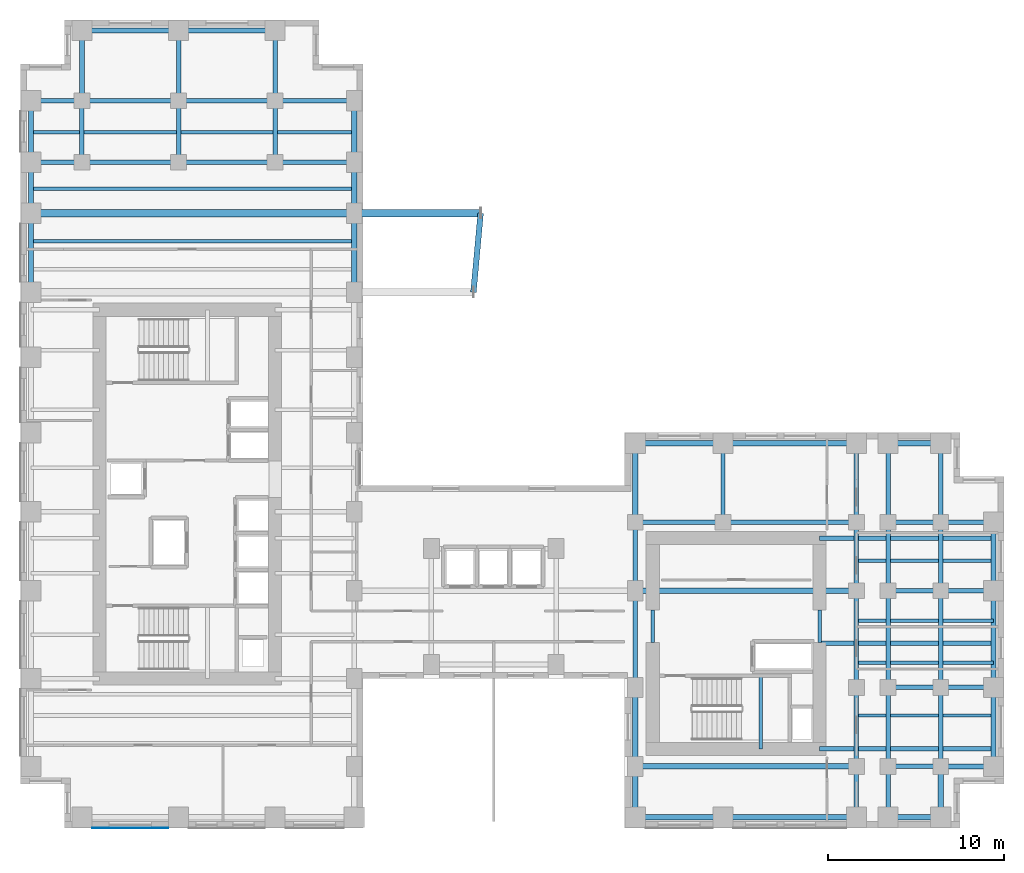
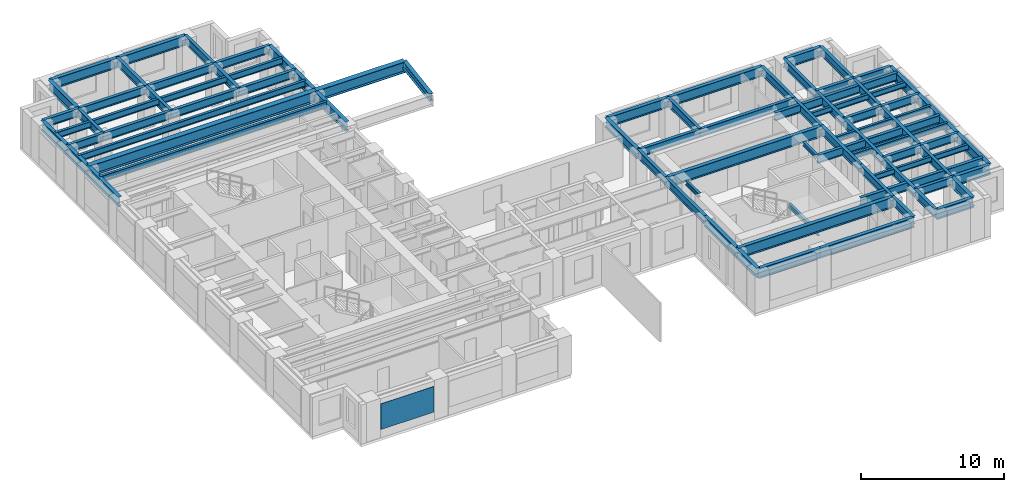
# One storey, part 3 of 14: 80 beams, 1 plate.
"""IFC4 building model written with IfcOpenShell, lengths in metres."""

from ifc_helpers import new_model, si_unit, direction, frame, origin, origin_2d, place, context, subcontext, project, spatial, rectangle, i_section, extrude, source, transform, mapped, material, layer, layer_set, material_profile, profile_set, type_object, element, save


model = new_model("IFC4")

# Units and contexts
model_context = context("Model", 3, precision=1e-05, world=origin(), true_north=direction((0.0, 1.0)))
body_context = subcontext(model_context, "Body", "Model", "MODEL_VIEW")
ifc_project = project(units=[si_unit("LENGTHUNIT", "METRE"), si_unit("AREAUNIT", "SQUARE_METRE"), si_unit("VOLUMEUNIT", "CUBIC_METRE"), si_unit("PLANEANGLEUNIT", "RADIAN"), si_unit("MASSUNIT", "GRAM", prefix="KILO")], contexts=[model_context])

# Site, building, storey
site_placement = place(None, origin())
site = spatial("IfcSite", under=ifc_project, at=site_placement, CompositionType="ELEMENT")
building_placement = place(site_placement, origin())
building = spatial("IfcBuilding", under=site, at=building_placement, Name="Kharzan Plaza Tower", CompositionType="ELEMENT")
storey_placement = place(building_placement, frame((0.0, 0.0, 124.199951171875)))
storey = spatial("IfcBuildingStorey", under=building, at=storey_placement, Name="L33", CompositionType="ELEMENT", Elevation=124.199951171875)

# Beams
ifc_material_1 = material(Name="Steel S355", Category="steel")
ifc_material_profile_1 = material_profile(ifc_material_1, i_section(OverallWidth=0.205078125, OverallDepth=0.35400390625, WebThickness=0.009521484375, FlangeThickness=0.016845703125, at=origin_2d()), Name="W360x79")
ifc_profile_set_1 = profile_set([ifc_material_profile_1], Name="Steel S355")
beam_type_1 = type_object("IfcBeamType", Name="BM-LNT360", PredefinedType="LINTEL", material=ifc_profile_set_1)
shared_shape_1 = source(origin(), body_context, "Body", "SweptSolid", [
    extrude(i_section(OverallWidth=0.205078125, OverallDepth=0.35400390625, WebThickness=0.009521484375, FlangeThickness=0.016845703125, at=origin_2d()), origin(), (0.0, 0.0, 1.0), 1.849853515625),
])
for number, where, z_axis, x_axis, name in (
    (1, (45.5, 10.550048828125, 3.203125), (0.0, 1.0, 0.0), (-1.0, 0.0, 0.0), "L33 CORE-B coupling lintel LN1-WE"),
    (2, (36.0, 10.550048828125, 3.203125), (0.0, 1.0, 0.0), (-1.0, 0.0, 0.0), "L33 CORE-B coupling lintel LN1-WW"),
):
    element("IfcBeam", number, at=place(storey_placement, frame(where, z_axis=z_axis, x_axis=x_axis)), inside=storey, type_object=beam_type_1, Name=name, PredefinedType="LINTEL", context=body_context, shape_type="MappedRepresentation", body=[
        mapped(shared_shape_1, transform((0.0, 0.0, 0.0), x_axis=(1.0, 0.0, 0.0), y_axis=(0.0, 1.0, 0.0), z_axis=(0.0, 0.0, 1.0))),
    ])
shared_shape_2 = source(origin(), body_context, "Body", "SweptSolid", [
    extrude(i_section(OverallWidth=0.205078125, OverallDepth=0.35400390625, WebThickness=0.009521484375, FlangeThickness=0.016845703125, at=origin_2d()), origin(), (0.0, 0.0, 1.0), 4.155029296875),
])
beam_1_placement = place(storey_placement, frame((42.14990234375, 4.5, 1.423095703125), z_axis=(0.0, 1.0, 0.0), x_axis=(-1.0, 0.0, 0.0)))
element("IfcBeam", 3, at=beam_1_placement, inside=storey, type_object=beam_type_1, Name="L33 Stair ST-3 Half-Landing Beam", PredefinedType="LINTEL", context=body_context, shape_type="MappedRepresentation", body=[
    mapped(shared_shape_2, transform((0.0, 0.0, 0.0), x_axis=(1.0, 0.0, 0.0), y_axis=(0.0, 1.0, 0.0), z_axis=(0.0, 0.0, 1.0))),
])
ifc_material_profile_2 = material_profile(ifc_material_1, i_section(OverallWidth=0.304931640625, OverallDepth=0.9189453125, WebThickness=0.017333984375, FlangeThickness=0.02783203125, at=origin_2d()), Name="W920x253")
ifc_profile_set_2 = profile_set([ifc_material_profile_2], Name="Steel S355")
beam_type_2 = type_object("IfcBeamType", Name="BM-FG920B", PredefinedType="BEAM", material=ifc_profile_set_2)
shared_shape_3 = source(origin(), body_context, "Body", "SweptSolid", [
    extrude(i_section(OverallWidth=0.304931640625, OverallDepth=0.9189453125, WebThickness=0.017333984375, FlangeThickness=0.02783203125, at=origin_2d()), origin(), (0.0, 0.0, 1.0), 12.60009765625),
])
for number, where, z_axis, x_axis, name in (
    (4, (35.0, 3.5, 2.920654296875), (1.0, 0.0, 0.0), (0.0, 1.0, 0.0), "L33 Primary Floor Girder"),
    (5, (35.0, 13.5, 2.920654296875), (1.0, 0.0, 0.0), (0.0, 1.0, 0.0), "L33 Primary Floor Girder"),
):
    element("IfcBeam", number, at=place(storey_placement, frame(where, z_axis=z_axis, x_axis=x_axis)), inside=storey, type_object=beam_type_2, Name=name, PredefinedType="BEAM", context=body_context, shape_type="MappedRepresentation", body=[
        mapped(shared_shape_3, transform((0.0, 0.0, 0.0), x_axis=(1.0, 0.0, 0.0), y_axis=(0.0, 1.0, 0.0), z_axis=(0.0, 0.0, 1.0))),
    ])
ifc_material_profile_3 = material_profile(ifc_material_1, i_section(OverallWidth=0.2099609375, OverallDepth=0.537109375, WebThickness=0.010986328125, FlangeThickness=0.017333984375, at=origin_2d()), Name="W530x101")
ifc_profile_set_3 = profile_set([ifc_material_profile_3], Name="Steel S355")
beam_type_3 = type_object("IfcBeamType", Name="BM-JST530B", PredefinedType="JOIST", material=ifc_profile_set_3)
shared_shape_4 = source(origin(), body_context, "Body", "SweptSolid", [
    extrude(i_section(OverallWidth=0.2099609375, OverallDepth=0.537109375, WebThickness=0.010986328125, FlangeThickness=0.017333984375, at=origin_2d()), origin(), (0.0, 0.0, 1.0), 18.39990234375),
])
for number, where, z_axis, x_axis, name in (
    (6, (0.60009765625, 33.39990234375, 3.111572265625), (1.0, 0.0, 0.0), (0.0, 1.0, 0.0), "L33 Wing A Composite Joist 05"),
    (7, (0.60009765625, 36.39990234375, 3.111572265625), (1.0, 0.0, 0.0), (0.0, 1.0, 0.0), "L33 Wing A Composite Joist 06"),
    (8, (0.60009765625, 39.60009765625, 3.111572265625), (1.0, 0.0, 0.0), (0.0, 1.0, 0.0), "L33 Wing A Composite Joist 07"),
):
    element("IfcBeam", number, at=place(storey_placement, frame(where, z_axis=z_axis, x_axis=x_axis)), inside=storey, type_object=beam_type_3, Name=name, PredefinedType="JOIST", context=body_context, shape_type="MappedRepresentation", body=[
        mapped(shared_shape_4, transform((0.0, 0.0, 0.0), x_axis=(1.0, 0.0, 0.0), y_axis=(0.0, 1.0, 0.0), z_axis=(0.0, 0.0, 1.0))),
    ])
ifc_material_profile_4 = material_profile(ifc_material_1, i_section(OverallWidth=0.41796875, OverallDepth=0.93701171875, WebThickness=0.019287109375, FlangeThickness=0.031982421875, at=origin_2d()), Name="W920x342")
ifc_profile_set_4 = profile_set([ifc_material_profile_4], Name="Steel S355")
beam_type_4 = type_object("IfcBeamType", Name="BM-ZTB920", PredefinedType="BEAM", material=ifc_profile_set_4)
shared_shape_5 = source(origin(), body_context, "Body", "SweptSolid", [
    extrude(i_section(OverallWidth=0.41796875, OverallDepth=0.93701171875, WebThickness=0.019287109375, FlangeThickness=0.031982421875, at=origin_2d()), origin(), (0.0, 0.0, 1.0), 18.39990234375),
])
beam_2_placement = place(storey_placement, frame((0.60009765625, 35.0, 2.91162109375), z_axis=(1.0, 0.0, 0.0), x_axis=(0.0, 1.0, 0.0)))
element("IfcBeam", 9, at=beam_2_placement, inside=storey, type_object=beam_type_4, Name="L33 Sky-Terrace Back-Span Girder ZTB1 (L34 G2)", PredefinedType="BEAM", context=body_context, shape_type="MappedRepresentation", body=[
    mapped(shared_shape_5, transform((0.0, 0.0, 0.0), x_axis=(1.0, 0.0, 0.0), y_axis=(0.0, 1.0, 0.0), z_axis=(0.0, 0.0, 1.0))),
])
ifc_material_profile_5 = material_profile(ifc_material_1, i_section(OverallWidth=0.41796875, OverallDepth=0.93701171875, WebThickness=0.019287109375, FlangeThickness=0.031982421875, at=origin_2d()), Name="W920x342")
ifc_profile_set_5 = profile_set([ifc_material_profile_5], Name="Steel S355")
beam_type_5 = type_object("IfcBeamType", Name="BM-ZTG920", PredefinedType="BEAM", material=ifc_profile_set_5)
shared_shape_6 = source(origin(), body_context, "Body", "SweptSolid", [
    extrude(i_section(OverallWidth=0.41796875, OverallDepth=0.93701171875, WebThickness=0.019287109375, FlangeThickness=0.031982421875, at=origin_2d()), origin(), (0.0, 0.0, 1.0), 7.199951171875),
])
beam_3_placement = place(storey_placement, frame((19.0, 35.0, 2.91162109375), z_axis=(1.0, 0.0, 0.0), x_axis=(0.0, 1.0, 0.0)))
element("IfcBeam", 10, at=beam_3_placement, inside=storey, type_object=beam_type_5, Name="L33 Sky-Terrace Cantilever Girder ZTG1 (L34 G2)", PredefinedType="BEAM", context=body_context, shape_type="MappedRepresentation", body=[
    mapped(shared_shape_6, transform((0.0, 0.0, 0.0), x_axis=(1.0, 0.0, 0.0), y_axis=(0.0, 1.0, 0.0), z_axis=(0.0, 0.0, 1.0))),
])
ifc_material_profile_6 = material_profile(ifc_material_1, i_section(OverallWidth=0.324951171875, OverallDepth=0.615966796875, WebThickness=0.013916015625, FlangeThickness=0.021484375, at=origin_2d()), Name="W610x174")
ifc_profile_set_6 = profile_set([ifc_material_profile_6], Name="Steel S355")
beam_type_6 = type_object("IfcBeamType", Name="BM-ZTT610", PredefinedType="BEAM", material=ifc_profile_set_6)
shared_shape_7 = source(origin(), body_context, "Body", "SweptSolid", [
    extrude(i_section(OverallWidth=0.324951171875, OverallDepth=0.615966796875, WebThickness=0.013916015625, FlangeThickness=0.021484375, at=origin_2d()), origin(), (0.0, 0.0, 1.0), 4.5185546875),
])
beam_4_placement = place(storey_placement, frame((25.7900390625, 30.5, 3.072021484375), z_axis=(0.09071599143, 0.995876804077, 0.0), x_axis=(-0.995876804077, 0.09071599143, 0.0)))
element("IfcBeam", 11, at=beam_4_placement, inside=storey, type_object=beam_type_6, Name="L33 Sky-Terrace Edge Trimmer Beam ZTT1 (L34)", PredefinedType="BEAM", context=body_context, shape_type="MappedRepresentation", body=[
    mapped(shared_shape_7, transform((0.0, 0.0, 0.0), x_axis=(1.0, 0.0, 0.0), y_axis=(0.0, 1.0, 0.0), z_axis=(0.0, 0.0, 1.0))),
])
ifc_material_profile_7 = material_profile(ifc_material_1, i_section(OverallWidth=0.25390625, OverallDepth=0.68798828125, WebThickness=0.01318359375, FlangeThickness=0.02099609375, at=origin_2d()), Name="W690x152")
ifc_profile_set_7 = profile_set([ifc_material_profile_7], Name="Steel S355")
beam_type_7 = type_object("IfcBeamType", Name="BM-FG690B", PredefinedType="BEAM", material=ifc_profile_set_7)
shared_shape_8 = source(origin(), body_context, "Body", "SweptSolid", [
    extrude(i_section(OverallWidth=0.25390625, OverallDepth=0.68798828125, WebThickness=0.01318359375, FlangeThickness=0.02099609375, at=origin_2d()), origin(), (0.0, 0.0, 1.0), 4.5),
])
for number, where, z_axis, x_axis, name in (
    (12, (40.0, 17.39990234375, 3.0361328125), (0.0, 1.0, 0.0), (-1.0, 0.0, 0.0), "L33 Interior Frame Girder"),
    (13, (47.60009765625, 3.5, 3.0361328125), (0.0, 1.0, 0.0), (-1.0, 0.0, 0.0), "L33 Interior Frame Girder"),
    (14, (47.60009765625, 17.39990234375, 3.0361328125), (0.0, 1.0, 0.0), (-1.0, 0.0, 0.0), "L33 Interior Frame Girder"),
    (15, (49.39990234375, 3.5, 3.0361328125), (0.0, 1.0, 0.0), (-1.0, 0.0, 0.0), "L33 Interior Frame Girder"),
    (16, (49.39990234375, 17.39990234375, 3.0361328125), (0.0, 1.0, 0.0), (-1.0, 0.0, 0.0), "L33 Interior Frame Girder"),
    (17, (52.39990234375, 3.5, 3.0361328125), (0.0, 1.0, 0.0), (-1.0, 0.0, 0.0), "L33 Interior Frame Girder"),
    (18, (52.39990234375, 17.39990234375, 3.0361328125), (0.0, 1.0, 0.0), (-1.0, 0.0, 0.0), "L33 Interior Frame Girder"),
    (19, (14.5, 37.89990234375, 3.0361328125), (1.0, 0.0, 0.0), (0.0, 1.0, 0.0), "L33 Primary Floor Girder"),
    (20, (14.5, 41.39990234375, 3.0361328125), (1.0, 0.0, 0.0), (0.0, 1.0, 0.0), "L33 Primary Floor Girder"),
):
    element("IfcBeam", number, at=place(storey_placement, frame(where, z_axis=z_axis, x_axis=x_axis)), inside=storey, type_object=beam_type_7, Name=name, PredefinedType="BEAM", context=body_context, shape_type="MappedRepresentation", body=[
        mapped(shared_shape_8, transform((0.0, 0.0, 0.0), x_axis=(1.0, 0.0, 0.0), y_axis=(0.0, 1.0, 0.0), z_axis=(0.0, 0.0, 1.0))),
    ])
shared_shape_9 = source(origin(), body_context, "Body", "SweptSolid", [
    extrude(i_section(OverallWidth=0.25390625, OverallDepth=0.68798828125, WebThickness=0.01318359375, FlangeThickness=0.02099609375, at=origin_2d()), origin(), (0.0, 0.0, 1.0), 3.89990234375),
])
for number, where, z_axis, x_axis, name in (
    (21, (35.0, 13.5, 3.0361328125), (0.0, 1.0, 0.0), (-1.0, 0.0, 0.0), "L33 Interior Frame Girder"),
    (22, (47.60009765625, 13.5, 3.0361328125), (0.0, 1.0, 0.0), (-1.0, 0.0, 0.0), "L33 Interior Frame Girder"),
    (23, (49.39990234375, 13.5, 3.0361328125), (0.0, 1.0, 0.0), (-1.0, 0.0, 0.0), "L33 Interior Frame Girder"),
    (24, (52.39990234375, 13.5, 3.0361328125), (0.0, 1.0, 0.0), (-1.0, 0.0, 0.0), "L33 Interior Frame Girder"),
):
    element("IfcBeam", number, at=place(storey_placement, frame(where, z_axis=z_axis, x_axis=x_axis)), inside=storey, type_object=beam_type_7, Name=name, PredefinedType="BEAM", context=body_context, shape_type="MappedRepresentation", body=[
        mapped(shared_shape_9, transform((0.0, 0.0, 0.0), x_axis=(1.0, 0.0, 0.0), y_axis=(0.0, 1.0, 0.0), z_axis=(0.0, 0.0, 1.0))),
    ])
shared_shape_10 = source(origin(), body_context, "Body", "SweptSolid", [
    extrude(i_section(OverallWidth=0.25390625, OverallDepth=0.68798828125, WebThickness=0.01318359375, FlangeThickness=0.02099609375, at=origin_2d()), origin(), (0.0, 0.0, 1.0), 9.89990234375),
])
for number, where, z_axis, x_axis, name in (
    (25, (45.5, 4.5, 3.0361328125), (1.0, 0.0, 0.0), (0.0, 1.0, 0.0), "L33 Core-B East Floor Girder 1"),
    (26, (45.5, 10.5, 3.0361328125), (1.0, 0.0, 0.0), (0.0, 1.0, 0.0), "L33 Core-B East Floor Girder 2"),
    (27, (45.5, 16.5, 3.0361328125), (1.0, 0.0, 0.0), (0.0, 1.0, 0.0), "L33 Core-B East Floor Girder 3"),
):
    element("IfcBeam", number, at=place(storey_placement, frame(where, z_axis=z_axis, x_axis=x_axis)), inside=storey, type_object=beam_type_7, Name=name, PredefinedType="BEAM", context=body_context, shape_type="MappedRepresentation", body=[
        mapped(shared_shape_10, transform((0.0, 0.0, 0.0), x_axis=(1.0, 0.0, 0.0), y_axis=(0.0, 1.0, 0.0), z_axis=(0.0, 0.0, 1.0))),
    ])
shared_shape_11 = source(origin(), body_context, "Body", "SweptSolid", [
    extrude(i_section(OverallWidth=0.25390625, OverallDepth=0.68798828125, WebThickness=0.01318359375, FlangeThickness=0.02099609375, at=origin_2d()), origin(), (0.0, 0.0, 1.0), 3.5),
])
for number, where, z_axis, x_axis, name in (
    (28, (3.5, 37.89990234375, 3.0361328125), (0.0, 1.0, 0.0), (-1.0, 0.0, 0.0), "L33 Interior Frame Girder"),
    (29, (9.0, 37.89990234375, 3.0361328125), (0.0, 1.0, 0.0), (-1.0, 0.0, 0.0), "L33 Interior Frame Girder"),
    (30, (14.5, 37.89990234375, 3.0361328125), (0.0, 1.0, 0.0), (-1.0, 0.0, 0.0), "L33 Interior Frame Girder"),
):
    element("IfcBeam", number, at=place(storey_placement, frame(where, z_axis=z_axis, x_axis=x_axis)), inside=storey, type_object=beam_type_7, Name=name, PredefinedType="BEAM", context=body_context, shape_type="MappedRepresentation", body=[
        mapped(shared_shape_11, transform((0.0, 0.0, 0.0), x_axis=(1.0, 0.0, 0.0), y_axis=(0.0, 1.0, 0.0), z_axis=(0.0, 0.0, 1.0))),
    ])
shared_shape_12 = source(origin(), body_context, "Body", "SweptSolid", [
    extrude(i_section(OverallWidth=0.25390625, OverallDepth=0.68798828125, WebThickness=0.01318359375, FlangeThickness=0.02099609375, at=origin_2d()), origin(), (0.0, 0.0, 1.0), 4.0),
])
for number, where, z_axis, x_axis, name in (
    (31, (9.0, 41.39990234375, 3.0361328125), (0.0, 1.0, 0.0), (-1.0, 0.0, 0.0), "L33 Interior Frame Girder"),
    (32, (14.5, 41.39990234375, 3.0361328125), (0.0, 1.0, 0.0), (-1.0, 0.0, 0.0), "L33 Interior Frame Girder"),
):
    element("IfcBeam", number, at=place(storey_placement, frame(where, z_axis=z_axis, x_axis=x_axis)), inside=storey, type_object=beam_type_7, Name=name, PredefinedType="BEAM", context=body_context, shape_type="MappedRepresentation", body=[
        mapped(shared_shape_12, transform((0.0, 0.0, 0.0), x_axis=(1.0, 0.0, 0.0), y_axis=(0.0, 1.0, 0.0), z_axis=(0.0, 0.0, 1.0))),
    ])
shared_shape_13 = source(origin(), body_context, "Body", "SweptSolid", [
    extrude(i_section(OverallWidth=0.25390625, OverallDepth=0.68798828125, WebThickness=0.01318359375, FlangeThickness=0.02099609375, at=origin_2d()), origin(), (0.0, 0.0, 1.0), 5.0),
])
beam_5_placement = place(storey_placement, frame((35.0, 17.39990234375, 3.0361328125), z_axis=(1.0, 0.0, 0.0), x_axis=(0.0, 1.0, 0.0)))
element("IfcBeam", 33, at=beam_5_placement, inside=storey, type_object=beam_type_7, Name="L33 Primary Floor Girder", PredefinedType="BEAM", context=body_context, shape_type="MappedRepresentation", body=[
    mapped(shared_shape_13, transform((0.0, 0.0, 0.0), x_axis=(1.0, 0.0, 0.0), y_axis=(0.0, 1.0, 0.0), z_axis=(0.0, 0.0, 1.0))),
])
shared_shape_14 = source(origin(), body_context, "Body", "SweptSolid", [
    extrude(i_section(OverallWidth=0.25390625, OverallDepth=0.68798828125, WebThickness=0.01318359375, FlangeThickness=0.02099609375, at=origin_2d()), origin(), (0.0, 0.0, 1.0), 5.5),
])
for number, where, z_axis, x_axis, name in (
    (34, (35.0, 8.0, 3.0361328125), (0.0, 1.0, 0.0), (-1.0, 0.0, 0.0), "L33 Interior Frame Girder"),
    (35, (47.60009765625, 8.0, 3.0361328125), (0.0, 1.0, 0.0), (-1.0, 0.0, 0.0), "L33 Interior Frame Girder"),
    (36, (49.39990234375, 8.0, 3.0361328125), (0.0, 1.0, 0.0), (-1.0, 0.0, 0.0), "L33 Interior Frame Girder"),
    (37, (52.39990234375, 8.0, 3.0361328125), (0.0, 1.0, 0.0), (-1.0, 0.0, 0.0), "L33 Interior Frame Girder"),
    (38, (3.5, 37.89990234375, 3.0361328125), (1.0, 0.0, 0.0), (0.0, 1.0, 0.0), "L33 Primary Floor Girder"),
    (39, (9.0, 37.89990234375, 3.0361328125), (1.0, 0.0, 0.0), (0.0, 1.0, 0.0), "L33 Primary Floor Girder"),
    (40, (3.5, 41.39990234375, 3.0361328125), (1.0, 0.0, 0.0), (0.0, 1.0, 0.0), "L33 Primary Floor Girder"),
    (41, (9.0, 41.39990234375, 3.0361328125), (1.0, 0.0, 0.0), (0.0, 1.0, 0.0), "L33 Primary Floor Girder"),
):
    element("IfcBeam", number, at=place(storey_placement, frame(where, z_axis=z_axis, x_axis=x_axis)), inside=storey, type_object=beam_type_7, Name=name, PredefinedType="BEAM", context=body_context, shape_type="MappedRepresentation", body=[
        mapped(shared_shape_14, transform((0.0, 0.0, 0.0), x_axis=(1.0, 0.0, 0.0), y_axis=(0.0, 1.0, 0.0), z_axis=(0.0, 0.0, 1.0))),
    ])
shared_shape_15 = source(origin(), body_context, "Body", "SweptSolid", [
    extrude(i_section(OverallWidth=0.25390625, OverallDepth=0.68798828125, WebThickness=0.01318359375, FlangeThickness=0.02099609375, at=origin_2d()), origin(), (0.0, 0.0, 1.0), 2.89990234375),
])
for number, where, z_axis, x_axis, name in (
    (42, (47.60009765625, 0.60009765625, 3.0361328125), (0.0, 1.0, 0.0), (-1.0, 0.0, 0.0), "L33 Interior Frame Girder"),
    (43, (49.39990234375, 0.60009765625, 3.0361328125), (0.0, 1.0, 0.0), (-1.0, 0.0, 0.0), "L33 Interior Frame Girder"),
    (44, (0.60009765625, 37.89990234375, 3.0361328125), (1.0, 0.0, 0.0), (0.0, 1.0, 0.0), "L33 Primary Floor Girder"),
    (45, (0.60009765625, 41.39990234375, 3.0361328125), (1.0, 0.0, 0.0), (0.0, 1.0, 0.0), "L33 Primary Floor Girder"),
):
    element("IfcBeam", number, at=place(storey_placement, frame(where, z_axis=z_axis, x_axis=x_axis)), inside=storey, type_object=beam_type_7, Name=name, PredefinedType="BEAM", context=body_context, shape_type="MappedRepresentation", body=[
        mapped(shared_shape_15, transform((0.0, 0.0, 0.0), x_axis=(1.0, 0.0, 0.0), y_axis=(0.0, 1.0, 0.0), z_axis=(0.0, 0.0, 1.0))),
    ])
shared_shape_16 = source(origin(), body_context, "Body", "SweptSolid", [
    extrude(i_section(OverallWidth=0.25390625, OverallDepth=0.68798828125, WebThickness=0.01318359375, FlangeThickness=0.02099609375, at=origin_2d()), origin(), (0.0, 0.0, 1.0), 3.0),
])
for number, where, z_axis, x_axis, name in (
    (46, (49.39990234375, 3.5, 3.0361328125), (1.0, 0.0, 0.0), (0.0, 1.0, 0.0), "L33 Primary Floor Girder"),
    (47, (49.39990234375, 8.0, 3.0361328125), (1.0, 0.0, 0.0), (0.0, 1.0, 0.0), "L33 Primary Floor Girder"),
    (48, (52.39990234375, 8.0, 3.0361328125), (1.0, 0.0, 0.0), (0.0, 1.0, 0.0), "L33 Primary Floor Girder"),
    (49, (49.39990234375, 13.5, 3.0361328125), (1.0, 0.0, 0.0), (0.0, 1.0, 0.0), "L33 Primary Floor Girder"),
    (50, (52.39990234375, 13.5, 3.0361328125), (1.0, 0.0, 0.0), (0.0, 1.0, 0.0), "L33 Primary Floor Girder"),
    (51, (49.39990234375, 17.39990234375, 3.0361328125), (1.0, 0.0, 0.0), (0.0, 1.0, 0.0), "L33 Primary Floor Girder"),
    (52, (52.39990234375, 17.39990234375, 3.0361328125), (1.0, 0.0, 0.0), (0.0, 1.0, 0.0), "L33 Primary Floor Girder"),
):
    element("IfcBeam", number, at=place(storey_placement, frame(where, z_axis=z_axis, x_axis=x_axis)), inside=storey, type_object=beam_type_7, Name=name, PredefinedType="BEAM", context=body_context, shape_type="MappedRepresentation", body=[
        mapped(shared_shape_16, transform((0.0, 0.0, 0.0), x_axis=(1.0, 0.0, 0.0), y_axis=(0.0, 1.0, 0.0), z_axis=(0.0, 0.0, 1.0))),
    ])
shared_shape_17 = source(origin(), body_context, "Body", "SweptSolid", [
    extrude(i_section(OverallWidth=0.25390625, OverallDepth=0.68798828125, WebThickness=0.01318359375, FlangeThickness=0.02099609375, at=origin_2d()), origin(), (0.0, 0.0, 1.0), 7.60009765625),
])
beam_6_placement = place(storey_placement, frame((40.0, 17.39990234375, 3.0361328125), z_axis=(1.0, 0.0, 0.0), x_axis=(0.0, 1.0, 0.0)))
element("IfcBeam", 53, at=beam_6_placement, inside=storey, type_object=beam_type_7, Name="L33 Primary Floor Girder", PredefinedType="BEAM", context=body_context, shape_type="MappedRepresentation", body=[
    mapped(shared_shape_17, transform((0.0, 0.0, 0.0), x_axis=(1.0, 0.0, 0.0), y_axis=(0.0, 1.0, 0.0), z_axis=(0.0, 0.0, 1.0))),
])
ifc_material_profile_8 = material_profile(ifc_material_1, i_section(OverallWidth=0.194091796875, OverallDepth=0.468994140625, WebThickness=0.011474609375, FlangeThickness=0.0205078125, at=origin_2d()), Name="W460x106")
ifc_profile_set_8 = profile_set([ifc_material_profile_8], Name="Steel S355")
beam_type_8 = type_object("IfcBeamType", Name="BM-JST460", PredefinedType="JOIST", material=ifc_profile_set_8)
shared_shape_18 = source(origin(), body_context, "Body", "SweptSolid", [
    extrude(i_section(OverallWidth=0.194091796875, OverallDepth=0.468994140625, WebThickness=0.011474609375, FlangeThickness=0.0205078125, at=origin_2d()), origin(), (0.0, 0.0, 1.0), 7.7998046875),
])
for number, where, z_axis, x_axis, name in (
    (54, (47.60009765625, 6.39990234375, 3.1455078125), (1.0, 0.0, 0.0), (0.0, 1.0, 0.0), "L33 Wing B Composite Joist 02"),
    (55, (47.60009765625, 9.39990234375, 3.1455078125), (1.0, 0.0, 0.0), (0.0, 1.0, 0.0), "L33 Wing B Composite Joist 03"),
    (56, (47.60009765625, 11.800048828125, 3.1455078125), (1.0, 0.0, 0.0), (0.0, 1.0, 0.0), "L33 Wing B Composite Joist 04"),
    (57, (47.60009765625, 15.199951171875, 3.1455078125), (1.0, 0.0, 0.0), (0.0, 1.0, 0.0), "L33 Wing B Composite Joist 05"),
):
    element("IfcBeam", number, at=place(storey_placement, frame(where, z_axis=z_axis, x_axis=x_axis)), inside=storey, type_object=beam_type_8, Name=name, PredefinedType="JOIST", context=body_context, shape_type="MappedRepresentation", body=[
        mapped(shared_shape_18, transform((0.0, 0.0, 0.0), x_axis=(1.0, 0.0, 0.0), y_axis=(0.0, 1.0, 0.0), z_axis=(0.0, 0.0, 1.0))),
    ])
ifc_material_profile_9 = material_profile(ifc_material_1, i_section(OverallWidth=0.299072265625, OverallDepth=0.845947265625, WebThickness=0.015380859375, FlangeThickness=0.0244140625, at=origin_2d()), Name="W840x210")
ifc_profile_set_9 = profile_set([ifc_material_profile_9], Name="Steel S355")
beam_type_9 = type_object("IfcBeamType", Name="BM-SP840B", PredefinedType="SPANDREL", material=ifc_profile_set_9)
shared_shape_19 = source(origin(), body_context, "Body", "SweptSolid", [
    extrude(i_section(OverallWidth=0.299072265625, OverallDepth=0.845947265625, WebThickness=0.015380859375, FlangeThickness=0.0244140625, at=origin_2d()), origin(), (0.0, 0.0, 1.0), 5.0),
])
for number, where, z_axis, x_axis, name in (
    (58, (35.0, 0.60009765625, 2.95703125), (1.0, 0.0, 0.0), (0.0, 1.0, 0.0), "L33 Perimeter Tube Spandrel"),
    (59, (35.0, 21.89990234375, 2.95703125), (1.0, 0.0, 0.0), (0.0, 1.0, 0.0), "L33 Perimeter Tube Spandrel"),
):
    element("IfcBeam", number, at=place(storey_placement, frame(where, z_axis=z_axis, x_axis=x_axis)), inside=storey, type_object=beam_type_9, Name=name, PredefinedType="SPANDREL", context=body_context, shape_type="MappedRepresentation", body=[
        mapped(shared_shape_19, transform((0.0, 0.0, 0.0), x_axis=(1.0, 0.0, 0.0), y_axis=(0.0, 1.0, 0.0), z_axis=(0.0, 0.0, 1.0))),
    ])
shared_shape_20 = source(origin(), body_context, "Body", "SweptSolid", [
    extrude(i_section(OverallWidth=0.299072265625, OverallDepth=0.845947265625, WebThickness=0.015380859375, FlangeThickness=0.0244140625, at=origin_2d()), origin(), (0.0, 0.0, 1.0), 4.5),
])
for number, where, z_axis, x_axis, name in (
    (60, (0.60009765625, 30.5, 2.95703125), (0.0, 1.0, 0.0), (-1.0, 0.0, 0.0), "L33 Perimeter Tube Spandrel"),
    (61, (19.0, 30.5, 2.95703125), (0.0, 1.0, 0.0), (-1.0, 0.0, 0.0), "L33 Perimeter Tube Spandrel"),
    (62, (35.0, 3.5, 2.95703125), (0.0, 1.0, 0.0), (-1.0, 0.0, 0.0), "L33 Perimeter Tube Spandrel"),
    (63, (35.0, 17.39990234375, 2.95703125), (0.0, 1.0, 0.0), (-1.0, 0.0, 0.0), "L33 Perimeter Tube Spandrel"),
    (64, (55.39990234375, 3.5, 2.95703125), (0.0, 1.0, 0.0), (-1.0, 0.0, 0.0), "L33 Perimeter Tube Spandrel"),
):
    element("IfcBeam", number, at=place(storey_placement, frame(where, z_axis=z_axis, x_axis=x_axis)), inside=storey, type_object=beam_type_9, Name=name, PredefinedType="SPANDREL", context=body_context, shape_type="MappedRepresentation", body=[
        mapped(shared_shape_20, transform((0.0, 0.0, 0.0), x_axis=(1.0, 0.0, 0.0), y_axis=(0.0, 1.0, 0.0), z_axis=(0.0, 0.0, 1.0))),
    ])
shared_shape_21 = source(origin(), body_context, "Body", "SweptSolid", [
    extrude(i_section(OverallWidth=0.299072265625, OverallDepth=0.845947265625, WebThickness=0.015380859375, FlangeThickness=0.0244140625, at=origin_2d()), origin(), (0.0, 0.0, 1.0), 2.89990234375),
])
for number, where, z_axis, x_axis, name in (
    (65, (0.60009765625, 35.0, 2.95703125), (0.0, 1.0, 0.0), (-1.0, 0.0, 0.0), "L33 Perimeter Tube Spandrel"),
    (66, (19.0, 35.0, 2.95703125), (0.0, 1.0, 0.0), (-1.0, 0.0, 0.0), "L33 Perimeter Tube Spandrel"),
    (67, (35.0, 0.60009765625, 2.95703125), (0.0, 1.0, 0.0), (-1.0, 0.0, 0.0), "L33 Perimeter Tube Spandrel"),
    (68, (52.39990234375, 0.60009765625, 2.95703125), (0.0, 1.0, 0.0), (-1.0, 0.0, 0.0), "L33 Perimeter Tube Spandrel"),
):
    element("IfcBeam", number, at=place(storey_placement, frame(where, z_axis=z_axis, x_axis=x_axis)), inside=storey, type_object=beam_type_9, Name=name, PredefinedType="SPANDREL", context=body_context, shape_type="MappedRepresentation", body=[
        mapped(shared_shape_21, transform((0.0, 0.0, 0.0), x_axis=(1.0, 0.0, 0.0), y_axis=(0.0, 1.0, 0.0), z_axis=(0.0, 0.0, 1.0))),
    ])
shared_shape_22 = source(origin(), body_context, "Body", "SweptSolid", [
    extrude(i_section(OverallWidth=0.299072265625, OverallDepth=0.845947265625, WebThickness=0.015380859375, FlangeThickness=0.0244140625, at=origin_2d()), origin(), (0.0, 0.0, 1.0), 3.5),
])
for number, where, z_axis, x_axis, name in (
    (69, (0.60009765625, 37.89990234375, 2.95703125), (0.0, 1.0, 0.0), (-1.0, 0.0, 0.0), "L33 Perimeter Tube Spandrel"),
    (70, (19.0, 37.89990234375, 2.95703125), (0.0, 1.0, 0.0), (-1.0, 0.0, 0.0), "L33 Perimeter Tube Spandrel"),
):
    element("IfcBeam", number, at=place(storey_placement, frame(where, z_axis=z_axis, x_axis=x_axis)), inside=storey, type_object=beam_type_9, Name=name, PredefinedType="SPANDREL", context=body_context, shape_type="MappedRepresentation", body=[
        mapped(shared_shape_22, transform((0.0, 0.0, 0.0), x_axis=(1.0, 0.0, 0.0), y_axis=(0.0, 1.0, 0.0), z_axis=(0.0, 0.0, 1.0))),
    ])
shared_shape_23 = source(origin(), body_context, "Body", "SweptSolid", [
    extrude(i_section(OverallWidth=0.299072265625, OverallDepth=0.845947265625, WebThickness=0.015380859375, FlangeThickness=0.0244140625, at=origin_2d()), origin(), (0.0, 0.0, 1.0), 4.0),
])
beam_7_placement = place(storey_placement, frame((3.5, 41.39990234375, 2.95703125), z_axis=(0.0, 1.0, 0.0), x_axis=(-1.0, 0.0, 0.0)))
element("IfcBeam", 71, at=beam_7_placement, inside=storey, type_object=beam_type_9, Name="L33 Perimeter Tube Spandrel", PredefinedType="SPANDREL", context=body_context, shape_type="MappedRepresentation", body=[
    mapped(shared_shape_23, transform((0.0, 0.0, 0.0), x_axis=(1.0, 0.0, 0.0), y_axis=(0.0, 1.0, 0.0), z_axis=(0.0, 0.0, 1.0))),
])
shared_shape_24 = source(origin(), body_context, "Body", "SweptSolid", [
    extrude(i_section(OverallWidth=0.299072265625, OverallDepth=0.845947265625, WebThickness=0.015380859375, FlangeThickness=0.0244140625, at=origin_2d()), origin(), (0.0, 0.0, 1.0), 5.5),
])
for number, where, z_axis, x_axis, name in (
    (72, (55.39990234375, 8.0, 2.95703125), (0.0, 1.0, 0.0), (-1.0, 0.0, 0.0), "L33 Perimeter Tube Spandrel"),
    (73, (3.5, 45.39990234375, 2.95703125), (1.0, 0.0, 0.0), (0.0, 1.0, 0.0), "L33 Perimeter Tube Spandrel"),
    (74, (9.0, 45.39990234375, 2.95703125), (1.0, 0.0, 0.0), (0.0, 1.0, 0.0), "L33 Perimeter Tube Spandrel"),
):
    element("IfcBeam", number, at=place(storey_placement, frame(where, z_axis=z_axis, x_axis=x_axis)), inside=storey, type_object=beam_type_9, Name=name, PredefinedType="SPANDREL", context=body_context, shape_type="MappedRepresentation", body=[
        mapped(shared_shape_24, transform((0.0, 0.0, 0.0), x_axis=(1.0, 0.0, 0.0), y_axis=(0.0, 1.0, 0.0), z_axis=(0.0, 0.0, 1.0))),
    ])
shared_shape_25 = source(origin(), body_context, "Body", "SweptSolid", [
    extrude(i_section(OverallWidth=0.299072265625, OverallDepth=0.845947265625, WebThickness=0.015380859375, FlangeThickness=0.0244140625, at=origin_2d()), origin(), (0.0, 0.0, 1.0), 3.89990234375),
])
beam_8_placement = place(storey_placement, frame((55.39990234375, 13.5, 2.95703125), z_axis=(0.0, 1.0, 0.0), x_axis=(-1.0, 0.0, 0.0)))
element("IfcBeam", 75, at=beam_8_placement, inside=storey, type_object=beam_type_9, Name="L33 Perimeter Tube Spandrel", PredefinedType="SPANDREL", context=body_context, shape_type="MappedRepresentation", body=[
    mapped(shared_shape_25, transform((0.0, 0.0, 0.0), x_axis=(1.0, 0.0, 0.0), y_axis=(0.0, 1.0, 0.0), z_axis=(0.0, 0.0, 1.0))),
])
shared_shape_26 = source(origin(), body_context, "Body", "SweptSolid", [
    extrude(i_section(OverallWidth=0.299072265625, OverallDepth=0.845947265625, WebThickness=0.015380859375, FlangeThickness=0.0244140625, at=origin_2d()), origin(), (0.0, 0.0, 1.0), 7.60009765625),
])
for number, where, z_axis, x_axis, name in (
    (76, (40.0, 0.60009765625, 2.95703125), (1.0, 0.0, 0.0), (0.0, 1.0, 0.0), "L33 Perimeter Tube Spandrel"),
    (77, (40.0, 21.89990234375, 2.95703125), (1.0, 0.0, 0.0), (0.0, 1.0, 0.0), "L33 Perimeter Tube Spandrel"),
):
    element("IfcBeam", number, at=place(storey_placement, frame(where, z_axis=z_axis, x_axis=x_axis)), inside=storey, type_object=beam_type_9, Name=name, PredefinedType="SPANDREL", context=body_context, shape_type="MappedRepresentation", body=[
        mapped(shared_shape_26, transform((0.0, 0.0, 0.0), x_axis=(1.0, 0.0, 0.0), y_axis=(0.0, 1.0, 0.0), z_axis=(0.0, 0.0, 1.0))),
    ])
shared_shape_27 = source(origin(), body_context, "Body", "SweptSolid", [
    extrude(i_section(OverallWidth=0.299072265625, OverallDepth=0.845947265625, WebThickness=0.015380859375, FlangeThickness=0.0244140625, at=origin_2d()), origin(), (0.0, 0.0, 1.0), 3.0),
])
for number, where, z_axis, x_axis, name in (
    (78, (49.39990234375, 0.60009765625, 2.95703125), (1.0, 0.0, 0.0), (0.0, 1.0, 0.0), "L33 Perimeter Tube Spandrel"),
    (79, (52.39990234375, 3.5, 2.95703125), (1.0, 0.0, 0.0), (0.0, 1.0, 0.0), "L33 Perimeter Tube Spandrel"),
    (80, (49.39990234375, 21.89990234375, 2.95703125), (1.0, 0.0, 0.0), (0.0, 1.0, 0.0), "L33 Perimeter Tube Spandrel"),
):
    element("IfcBeam", number, at=place(storey_placement, frame(where, z_axis=z_axis, x_axis=x_axis)), inside=storey, type_object=beam_type_9, Name=name, PredefinedType="SPANDREL", context=body_context, shape_type="MappedRepresentation", body=[
        mapped(shared_shape_27, transform((0.0, 0.0, 0.0), x_axis=(1.0, 0.0, 0.0), y_axis=(0.0, 1.0, 0.0), z_axis=(0.0, 0.0, 1.0))),
    ])

# Plate
ifc_material_2 = material(Name="Perforated Bronze-Anodized Aluminium", Category="aluminium")
ifc_layer = layer(ifc_material_2, 0.030029296875)
ifc_layer_set = layer_set([ifc_layer], Name="Perforated Bronze-Anodized Aluminium")
plate_type = type_object("IfcPlateType", Name="PLT-MASH-SCREEN", PredefinedType="SHEET", material=ifc_layer_set)
shared_shape_28 = source(origin(), body_context, "Body", "SweptSolid", [
    extrude(rectangle(XDim=4.31396484375, YDim=0.030029296875, at=origin_2d()), origin(), (0.0, 0.0, 1.0), 2.199951171875),
])
plate_placement = place(storey_placement, frame((6.25, -0.012939453125, 0.72998046875), z_axis=(0.0, 0.0, 1.0), x_axis=(1.0, 0.0, 0.0)))
element("IfcPlate", 81, at=plate_placement, inside=storey, type_object=plate_type, Name="L33 Perforated Mashrabiya Solar Screen", PredefinedType="SHEET", context=body_context, shape_type="MappedRepresentation", body=[
    mapped(shared_shape_28, transform((0.0, 0.0, 0.0), x_axis=(1.0, 0.0, 0.0), y_axis=(0.0, 1.0, 0.0), z_axis=(0.0, 0.0, 1.0))),
])

save(model, "model.ifc")
